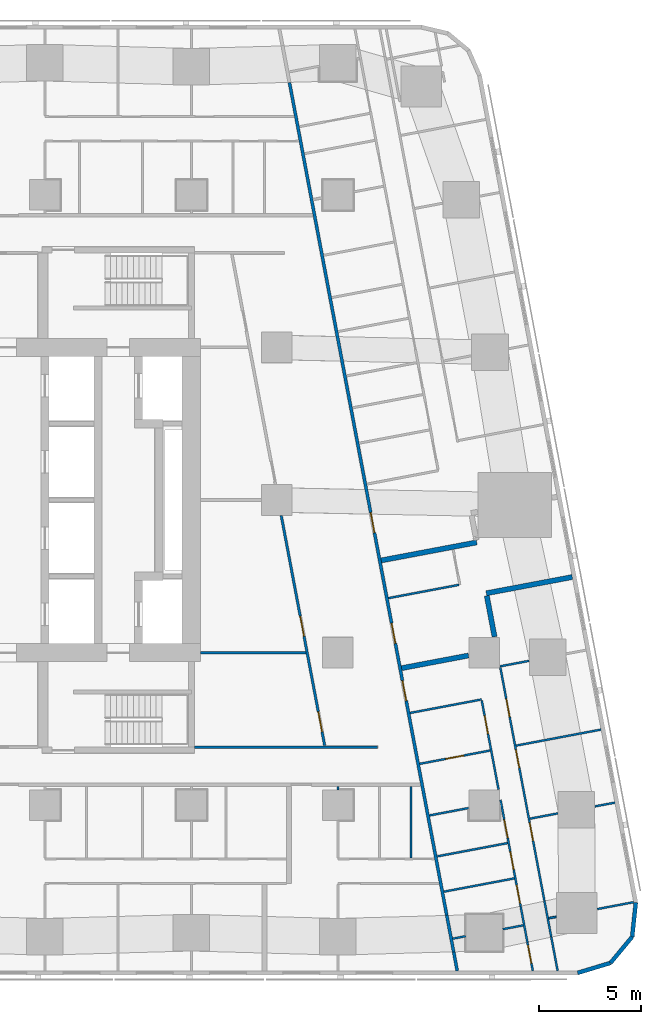
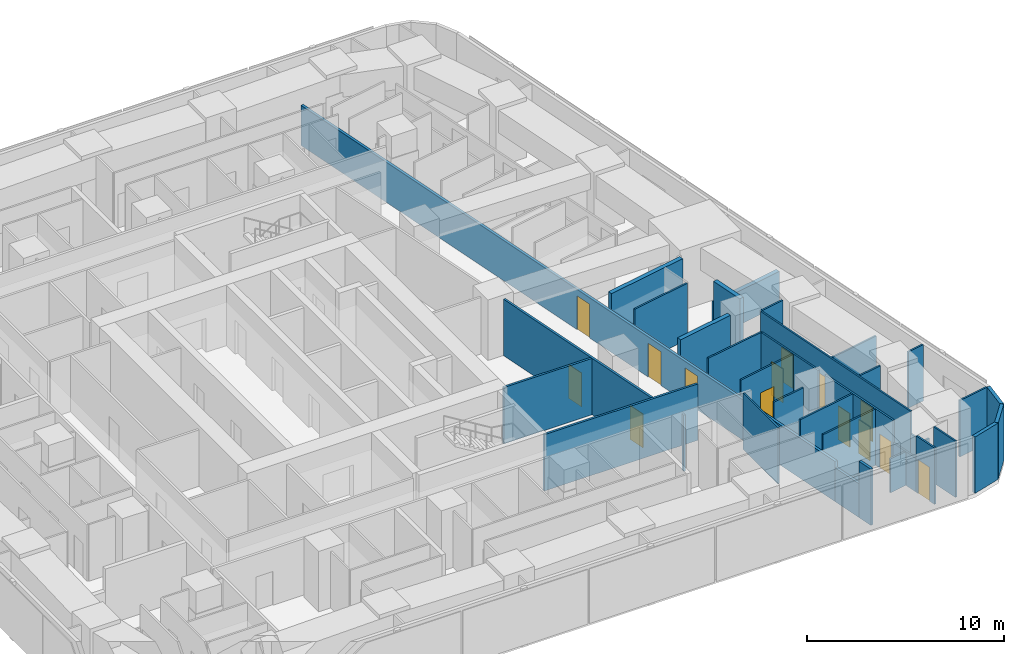
# One storey, part 7 of 15: 36 walls, 14 doors, 14 openings.
"""IFC4 building model written with IfcOpenShell, lengths in metres."""

from ifc_helpers import new_model, si_unit, direction, frame, frame_2d, origin, place, context, subcontext, project, spatial, rectangle, extrude, material, layer, layer_set, type_object, element, fill, save


model = new_model("IFC4")

# Units and contexts
model_context = context("Model", 3, precision=1e-05, world=origin(), true_north=direction((0.0, 1.0)))
body_context = subcontext(model_context, "Body", "Model", "MODEL_VIEW")
ifc_project = project(units=[si_unit("LENGTHUNIT", "METRE"), si_unit("AREAUNIT", "SQUARE_METRE"), si_unit("VOLUMEUNIT", "CUBIC_METRE"), si_unit("PLANEANGLEUNIT", "RADIAN"), si_unit("MASSUNIT", "GRAM", prefix="KILO")], contexts=[model_context])

# Site, building, storey
site_placement = place(None, origin())
site = spatial("IfcSite", under=ifc_project, at=site_placement, CompositionType="ELEMENT")
building_placement = place(site_placement, origin())
building = spatial("IfcBuilding", under=site, at=building_placement, Name="Sheger Commons Tower", CompositionType="ELEMENT")
storey_placement = place(building_placement, frame((0.0, 0.0, 162.050048828125)))
storey = spatial("IfcBuildingStorey", under=building, at=storey_placement, Name="L41", CompositionType="ELEMENT", Elevation=162.050048828125)

# Wall, openings, doors
ifc_material_1 = material(Name="Hollow concrete block masonry, skimmed both sides", Category="masonry")
ifc_layer_1 = layer(ifc_material_1, 0.14990234375)
ifc_layer_set_1 = layer_set([ifc_layer_1], Name="CORRIDOR WALL 150")
wall_type_1 = type_object("IfcWallType", Name="CORRIDOR WALL 150", PredefinedType="SOLIDWALL", material=ifc_layer_set_1)
wall_1_placement = place(storey_placement, frame((33.623046875, 43.02197265625, 0.0), z_axis=(0.0, 0.0, 1.0), x_axis=(0.185596841028, -0.98262597798, 0.0)))
wall_1 = element("IfcWall", 1, at=wall_1_placement, inside=storey, type_object=wall_type_1, Name="Corridor wall L41", PredefinedType="SOLIDWALL", context=body_context, shape_type="SweptSolid", body=[
    extrude(rectangle(XDim=41.659912109375, YDim=0.14990234375, at=frame_2d((20.830078125, 0.0))), origin(), (0.0, 0.0, 1.0), 2.5),
])
opening_1_placement = place(wall_1_placement, frame((21.513916015625, 0.0, 0.0)))
opening_1 = element("IfcOpeningElement", 2, at=opening_1_placement, cuts=wall_1, Name="Opening D1", PredefinedType="OPENING", context=body_context, shape_type="SweptSolid", body=[
    extrude(rectangle(XDim=1.0, YDim=2.10009765625, at=frame_2d((0.5, 1.050048828125))), frame((0.0, 0.0849609375, 0.0), z_axis=(0.0, -1.0, 0.0), x_axis=(1.0, 0.0, 0.0)), (0.0, 0.0, 1.0), 0.169921875),
])
opening_2_placement = place(wall_1_placement, frame((27.06201171875, 0.0, 0.0)))
opening_2 = element("IfcOpeningElement", 3, at=opening_2_placement, cuts=wall_1, Name="Opening D1", PredefinedType="OPENING", context=body_context, shape_type="SweptSolid", body=[
    extrude(rectangle(XDim=1.0, YDim=2.10009765625, at=frame_2d((0.5, 1.050048828125))), frame((0.0, 0.0849609375, 0.0), z_axis=(0.0, -1.0, 0.0), x_axis=(1.0, 0.0, 0.0)), (0.0, 0.0, 1.0), 0.169921875),
])
opening_3_placement = place(wall_1_placement, frame((29.93408203125, 0.0, 0.0)))
opening_3 = element("IfcOpeningElement", 4, at=opening_3_placement, cuts=wall_1, Name="Opening D1", PredefinedType="OPENING", context=body_context, shape_type="SweptSolid", body=[
    extrude(rectangle(XDim=1.0, YDim=2.10009765625, at=frame_2d((0.5, 1.050048828125))), frame((0.0, 0.0849609375, 0.0), z_axis=(0.0, -1.0, 0.0), x_axis=(1.0, 0.0, 0.0)), (0.0, 0.0, 1.0), 0.169921875),
])
ifc_material_2 = material(Name="Steel door set, fire rated", Category="steel")
door_type_1 = type_object("IfcDoorType", Name="FLAT ENTRANCE DOOR 1000x2100", OperationType="NOTDEFINED", PredefinedType="DOOR", material=ifc_material_2)
door_1_placement = place(opening_1_placement, origin())
door_1 = element("IfcDoor", 5, at=door_1_placement, inside=storey, type_object=door_type_1, Name="Flat entrance door", OperationType="SINGLE_SWING_LEFT", OverallHeight=2.10009765625, OverallWidth=1.0, PredefinedType="DOOR", context=body_context, shape_type="SweptSolid", body=[
    extrude(rectangle(XDim=1.0, YDim=2.10009765625, at=frame_2d((0.5, 1.050048828125))), frame((0.0, 0.02490234375, 0.0), z_axis=(0.0, -1.0, 0.0), x_axis=(1.0, 0.0, 0.0)), (0.0, 0.0, 1.0), 0.050048828125),
])
fill(opening_1, door_1)
door_2_placement = place(opening_2_placement, origin())
door_2 = element("IfcDoor", 6, at=door_2_placement, inside=storey, type_object=door_type_1, Name="Flat entrance door", OperationType="SINGLE_SWING_LEFT", OverallHeight=2.10009765625, OverallWidth=1.0, PredefinedType="DOOR", context=body_context, shape_type="SweptSolid", body=[
    extrude(rectangle(XDim=1.0, YDim=2.10009765625, at=frame_2d((0.5, 1.050048828125))), frame((0.0, 0.02490234375, 0.0), z_axis=(0.0, -1.0, 0.0), x_axis=(1.0, 0.0, 0.0)), (0.0, 0.0, 1.0), 0.050048828125),
])
fill(opening_2, door_2)
door_3_placement = place(opening_3_placement, origin())
door_3 = element("IfcDoor", 7, at=door_3_placement, inside=storey, type_object=door_type_1, Name="Flat entrance door", OperationType="SINGLE_SWING_LEFT", OverallHeight=2.10009765625, OverallWidth=1.0, PredefinedType="DOOR", context=body_context, shape_type="SweptSolid", body=[
    extrude(rectangle(XDim=1.0, YDim=2.10009765625, at=frame_2d((0.5, 1.050048828125))), frame((0.0, 0.02490234375, 0.0), z_axis=(0.0, -1.0, 0.0), x_axis=(1.0, 0.0, 0.0)), (0.0, 0.0, 1.0), 0.050048828125),
])
fill(opening_3, door_3)

# Walls
wall_2_placement = place(storey_placement, frame((41.35498046875, 2.0859375, 0.0), z_axis=(0.0, 0.0, 1.0), x_axis=(0.185708872674, -0.982604811005, 0.0)))
element("IfcWall", 8, at=wall_2_placement, inside=storey, type_object=wall_type_1, Name="Corridor wall L41", PredefinedType="SOLIDWALL", context=body_context, shape_type="SweptSolid", body=[
    extrude(rectangle(XDim=1.84716796875, YDim=0.14990234375, at=frame_2d((0.923583984375, 0.0))), origin(), (0.0, 0.0, 1.0), 2.099853515625),
])
wall_3_placement = place(storey_placement, frame((41.697998046875, 0.27099609375, 0.0), z_axis=(0.0, 0.0, 1.0), x_axis=(0.185735329995, -0.982599810295, 0.0)))
element("IfcWall", 9, at=wall_3_placement, inside=storey, type_object=wall_type_1, Name="Corridor wall L41", PredefinedType="SOLIDWALL", context=body_context, shape_type="SweptSolid", body=[
    extrude(rectangle(XDim=0.937255859375, YDim=0.14990234375, at=frame_2d((0.46875, 0.0))), origin(), (0.0, 0.0, 1.0), 3.5),
])
ifc_material_3 = material(Name="Dense concrete block masonry, plastered both sides (separating wall between flats)", Category="masonry")
ifc_layer_2 = layer(ifc_material_3, 0.25)
ifc_layer_set_2 = layer_set([ifc_layer_2], Name="DEMISING WALL 250")
wall_type_2 = type_object("IfcWallType", Name="DEMISING WALL 250", PredefinedType="SOLIDWALL", material=ifc_layer_set_2)
wall_4_placement = place(storey_placement, frame((42.8291015625, 20.416015625, 0.0), z_axis=(0.0, 0.0, 1.0), x_axis=(-0.982635807605, -0.185544791394, 0.0)))
element("IfcWall", 10, at=wall_4_placement, inside=storey, type_object=wall_type_2, Name="Demising wall L41", PredefinedType="SOLIDWALL", context=body_context, shape_type="SweptSolid", body=[
    extrude(rectangle(XDim=4.775146484375, YDim=0.25, at=frame_2d((2.3876953125, 0.0))), origin(), (0.0, 0.0, 1.0), 3.5),
])
wall_5_placement = place(storey_placement, frame((47.527099609375, 18.7119140625, 0.0), z_axis=(0.0, 0.0, 1.0), x_axis=(-0.982633535512, -0.185556823879, 0.0)))
element("IfcWall", 11, at=wall_5_placement, inside=storey, type_object=wall_type_2, Name="Demising wall L41", PredefinedType="SOLIDWALL", context=body_context, shape_type="SweptSolid", body=[
    extrude(rectangle(XDim=4.2998046875, YDim=0.25, at=frame_2d((2.14990234375, 0.0))), origin(), (0.0, 0.0, 1.0), 2.099853515625),
])
wall_6_placement = place(storey_placement, frame((42.426025390625, 14.85400390625, 0.0), z_axis=(0.0, 0.0, 1.0), x_axis=(-0.982580325536, -0.185838381047, 0.0)))
element("IfcWall", 12, at=wall_6_placement, inside=storey, type_object=wall_type_2, Name="Demising wall L41", PredefinedType="SOLIDWALL", context=body_context, shape_type="SweptSolid", body=[
    extrude(rectangle(XDim=3.347412109375, YDim=0.25, at=frame_2d((1.673828125, 0.0))), origin(), (0.0, 0.0, 1.0), 3.5),
])
wall_7_placement = place(storey_placement, frame((43.324951171875, 17.791015625, 0.0), z_axis=(0.0, 0.0, 1.0), x_axis=(0.185652708443, -0.982615424186, 0.0)))
element("IfcWall", 13, at=wall_7_placement, inside=storey, type_object=wall_type_2, Name="Demising wall L41", PredefinedType="SOLIDWALL", context=body_context, shape_type="SweptSolid", body=[
    extrude(rectangle(XDim=2.052734375, YDim=0.25, at=frame_2d((1.0263671875, 0.0))), origin(), (0.0, 0.0, 1.0), 3.5),
])
ifc_material_4 = material(Name="Rendered concrete block masonry, dark grey", Category="masonry")
ifc_layer_3 = layer(ifc_material_4, 0.199951171875)
ifc_layer_set_3 = layer_set([ifc_layer_3], Name="FACADE WALL 200")
wall_type_3 = type_object("IfcWallType", Name="FACADE WALL 200", PredefinedType="SOLIDWALL", material=ifc_layer_set_3)
wall_8_placement = place(storey_placement, frame((47.791015625, -0.75, 0.0), z_axis=(0.0, 0.0, 1.0), x_axis=(0.957455232626, 0.288581838509, 0.0)))
element("IfcWall", 14, at=wall_8_placement, inside=storey, type_object=wall_type_3, Name="Facade wall L41", PredefinedType="SOLIDWALL", context=body_context, shape_type="SweptSolid", body=[
    extrude(rectangle(XDim=1.687744140625, YDim=0.199951171875, at=frame_2d((0.84375, 0.0))), origin(), (0.0, 0.0, 1.0), 3.5),
])
wall_9_placement = place(storey_placement, frame((49.406982421875, -0.262939453125, 0.0), z_axis=(0.0, 0.0, 1.0), x_axis=(0.638042593423, 0.770001070764, 0.0)))
element("IfcWall", 15, at=wall_9_placement, inside=storey, type_object=wall_type_3, Name="Facade wall L41", PredefinedType="SOLIDWALL", context=body_context, shape_type="SweptSolid", body=[
    extrude(rectangle(XDim=1.672607421875, YDim=0.199951171875, at=frame_2d((0.83642578125, 0.0))), origin(), (0.0, 0.0, 1.0), 3.5),
])
wall_10_placement = place(storey_placement, frame((50.47412109375, 1.02490234375, 0.0), z_axis=(0.0, 0.0, 1.0), x_axis=(0.106047815515, 0.994361031429, 0.0)))
element("IfcWall", 16, at=wall_10_placement, inside=storey, type_object=wall_type_3, Name="Facade wall L41", PredefinedType="SOLIDWALL", context=body_context, shape_type="SweptSolid", body=[
    extrude(rectangle(XDim=1.6875, YDim=0.199951171875, at=frame_2d((0.84375, 0.0))), origin(), (0.0, 0.0, 1.0), 3.5),
])
ifc_material_5 = material(Name="Gypsum board on steel studs", Category="steel")
ifc_layer_4 = layer(ifc_material_5, 0.10009765625)
ifc_layer_set_4 = layer_set([ifc_layer_4], Name="PARTITION 100")
wall_type_4 = type_object("IfcWallType", Name="PARTITION 100", PredefinedType="PARTITIONING", material=ifc_layer_set_4)
wall_11_placement = place(storey_placement, frame((36.0, 8.2509765625, 0.0), z_axis=(0.0, 0.0, 1.0), x_axis=(0.0, 1.0, 0.0)))
element("IfcWall", 17, at=wall_11_placement, inside=storey, type_object=wall_type_4, Name="Partition L41", PredefinedType="PARTITIONING", context=body_context, shape_type="SweptSolid", body=[
    extrude(rectangle(XDim=0.174072265625, YDim=0.10009765625, at=frame_2d((0.0869140625, 0.0))), origin(), (0.0, 0.0, 1.0), 3.5),
])
for number, where, z_axis, x_axis, name in (
    (18, (39.60009765625, 4.89990234375, 0.0), (0.0, 0.0, 1.0), (0.0, 1.0, 0.0), "Partition L41"),
    (19, (41.951904296875, 18.326904296875, 0.0), (0.0, 0.0, 1.0), (-0.982648794755, -0.185475998897, 0.0), "Partition L41"),
):
    element("IfcWall", number, at=place(storey_placement, frame(where, z_axis=z_axis, x_axis=x_axis)), inside=storey, type_object=wall_type_4, Name=name, PredefinedType="PARTITIONING", context=body_context, shape_type="SweptSolid", body=[
        extrude(rectangle(XDim=3.525146484375, YDim=0.10009765625, at=frame_2d((1.7626953125, 0.0))), origin(), (0.0, 0.0, 1.0), 3.5),
    ])

# Wall, openings, doors
wall_12_placement = place(storey_placement, frame((43.991943359375, 14.259033203125, 0.0), z_axis=(0.0, 0.0, 1.0), x_axis=(0.185567765044, -0.98263146936, 0.0)))
wall_12 = element("IfcWall", 20, at=wall_12_placement, inside=storey, type_object=wall_type_4, Name="Partition L41", PredefinedType="PARTITIONING", context=body_context, shape_type="SweptSolid", body=[
    extrude(rectangle(XDim=11.682861328125, YDim=0.10009765625, at=frame_2d((5.84130859375, 0.0))), origin(), (0.0, 0.0, 1.0), 3.5),
])
opening_4_placement = place(wall_12_placement, frame((1.56689453125, 0.0, 0.0)))
opening_4 = element("IfcOpeningElement", 21, at=opening_4_placement, cuts=wall_12, Name="Opening D2", PredefinedType="OPENING", context=body_context, shape_type="SweptSolid", body=[
    extrude(rectangle(XDim=0.89990234375, YDim=2.10009765625, at=frame_2d((0.449951171875, 1.050048828125))), frame((0.0, 0.06005859375, 0.0), z_axis=(0.0, -1.0, 0.0), x_axis=(1.0, 0.0, 0.0)), (0.0, 0.0, 1.0), 0.1201171875),
])
opening_5_placement = place(wall_12_placement, frame((4.112060546875, 0.0, 0.0)))
opening_5 = element("IfcOpeningElement", 22, at=opening_5_placement, cuts=wall_12, Name="Opening D2", PredefinedType="OPENING", context=body_context, shape_type="SweptSolid", body=[
    extrude(rectangle(XDim=0.89990234375, YDim=2.10009765625, at=frame_2d((0.449951171875, 1.050048828125))), frame((0.0, 0.06005859375, 0.0), z_axis=(0.0, -1.0, 0.0), x_axis=(1.0, 0.0, 0.0)), (0.0, 0.0, 1.0), 0.1201171875),
])
opening_6_placement = place(wall_12_placement, frame((7.76806640625, 0.0, 0.0)))
opening_6 = element("IfcOpeningElement", 23, at=opening_6_placement, cuts=wall_12, Name="Opening D2", PredefinedType="OPENING", context=body_context, shape_type="SweptSolid", body=[
    extrude(rectangle(XDim=0.89990234375, YDim=2.10009765625, at=frame_2d((0.449951171875, 1.050048828125))), frame((0.0, 0.06005859375, 0.0), z_axis=(0.0, -1.0, 0.0), x_axis=(1.0, 0.0, 0.0)), (0.0, 0.0, 1.0), 0.1201171875),
])
ifc_material_6 = material(Name="Timber door set", Category="wood")
door_type_2 = type_object("IfcDoorType", Name="INTERNAL DOOR 900x2100", OperationType="NOTDEFINED", PredefinedType="DOOR", material=ifc_material_6)
door_4_placement = place(opening_4_placement, origin())
door_4 = element("IfcDoor", 24, at=door_4_placement, inside=storey, type_object=door_type_2, Name="Main bedroom door", OperationType="SINGLE_SWING_LEFT", OverallHeight=2.10009765625, OverallWidth=0.89990234375, PredefinedType="DOOR", context=body_context, shape_type="SweptSolid", body=[
    extrude(rectangle(XDim=0.89990234375, YDim=2.10009765625, at=frame_2d((0.449951171875, 1.050048828125))), frame((0.0, 0.02490234375, 0.0), z_axis=(0.0, -1.0, 0.0), x_axis=(1.0, 0.0, 0.0)), (0.0, 0.0, 1.0), 0.050048828125),
])
fill(opening_4, door_4)
door_5_placement = place(opening_5_placement, origin())
door_5 = element("IfcDoor", 25, at=door_5_placement, inside=storey, type_object=door_type_2, Name="Bedroom 2 door", OperationType="SINGLE_SWING_LEFT", OverallHeight=2.10009765625, OverallWidth=0.89990234375, PredefinedType="DOOR", context=body_context, shape_type="SweptSolid", body=[
    extrude(rectangle(XDim=0.89990234375, YDim=2.10009765625, at=frame_2d((0.449951171875, 1.050048828125))), frame((0.0, 0.02490234375, 0.0), z_axis=(0.0, -1.0, 0.0), x_axis=(1.0, 0.0, 0.0)), (0.0, 0.0, 1.0), 0.050048828125),
])
fill(opening_5, door_5)
door_6_placement = place(opening_6_placement, origin())
door_6 = element("IfcDoor", 26, at=door_6_placement, inside=storey, type_object=door_type_2, Name="Bedroom 3 door", OperationType="SINGLE_SWING_LEFT", OverallHeight=2.10009765625, OverallWidth=0.89990234375, PredefinedType="DOOR", context=body_context, shape_type="SweptSolid", body=[
    extrude(rectangle(XDim=0.89990234375, YDim=2.10009765625, at=frame_2d((0.449951171875, 1.050048828125))), frame((0.0, 0.02490234375, 0.0), z_axis=(0.0, -1.0, 0.0), x_axis=(1.0, 0.0, 0.0)), (0.0, 0.0, 1.0), 0.050048828125),
])
fill(opening_6, door_6)

# Walls
wall_13_placement = place(storey_placement, frame((46.159912109375, 2.779052734375, 0.0), z_axis=(0.0, 0.0, 1.0), x_axis=(0.18597295662, -0.982554863306, 0.0)))
element("IfcWall", 27, at=wall_13_placement, inside=storey, type_object=wall_type_4, Name="Partition L41", PredefinedType="PARTITIONING", context=body_context, shape_type="SweptSolid", body=[
    extrude(rectangle(XDim=1.802490234375, YDim=0.10009765625, at=frame_2d((0.9013671875, 0.0))), origin(), (0.0, 0.0, 1.0), 2.099853515625),
])
wall_14_placement = place(storey_placement, frame((46.4951171875, 1.008056640625, 0.0), z_axis=(0.0, 0.0, 1.0), x_axis=(0.185502765063, -0.982643742235, 0.0)))
element("IfcWall", 28, at=wall_14_placement, inside=storey, type_object=wall_type_4, Name="Partition L41", PredefinedType="PARTITIONING", context=body_context, shape_type="SweptSolid", body=[
    extrude(rectangle(XDim=1.687255859375, YDim=0.10009765625, at=frame_2d((0.84375, 0.0))), origin(), (0.0, 0.0, 1.0), 3.5),
])

# Wall, opening, door
wall_15_placement = place(storey_placement, frame((43.075927734375, 12.64404296875, 0.0), z_axis=(0.0, 0.0, 1.0), x_axis=(0.185613232457, -0.982622881851, 0.0)))
wall_15 = element("IfcWall", 29, at=wall_15_placement, inside=storey, type_object=wall_type_4, Name="Partition L41", PredefinedType="PARTITIONING", context=body_context, shape_type="SweptSolid", body=[
    extrude(rectangle(XDim=4.461669921875, YDim=0.10009765625, at=frame_2d((2.23095703125, 0.0))), origin(), (0.0, 0.0, 1.0), 3.5),
])
opening_7_placement = place(wall_15_placement, frame((0.77294921875, 0.0, 0.0)))
opening_7 = element("IfcOpeningElement", 30, at=opening_7_placement, cuts=wall_15, Name="Opening D2", PredefinedType="OPENING", context=body_context, shape_type="SweptSolid", body=[
    extrude(rectangle(XDim=0.89990234375, YDim=2.10009765625, at=frame_2d((0.449951171875, 1.050048828125))), frame((0.0, 0.06005859375, 0.0), z_axis=(0.0, -1.0, 0.0), x_axis=(1.0, 0.0, 0.0)), (0.0, 0.0, 1.0), 0.1201171875),
])
door_7_placement = place(opening_7_placement, origin())
door_7 = element("IfcDoor", 31, at=door_7_placement, inside=storey, type_object=door_type_2, Name="Store and laundry door", OperationType="SINGLE_SWING_RIGHT", OverallHeight=2.10009765625, OverallWidth=0.89990234375, PredefinedType="DOOR", context=body_context, shape_type="SweptSolid", body=[
    extrude(rectangle(XDim=0.89990234375, YDim=2.10009765625, at=frame_2d((0.449951171875, 1.050048828125))), frame((0.0, 0.02490234375, 0.0), z_axis=(0.0, -1.0, 0.0), x_axis=(1.0, 0.0, 0.0)), (0.0, 0.0, 1.0), 0.050048828125),
])
fill(opening_7, door_7)

# Wall, openings, doors
wall_16_placement = place(storey_placement, frame((43.9990234375, 7.756103515625, 0.0), z_axis=(0.0, 0.0, 1.0), x_axis=(0.185701292061, -0.982606243684, 0.0)))
wall_16 = element("IfcWall", 32, at=wall_16_placement, inside=storey, type_object=wall_type_4, Name="Partition L41", PredefinedType="PARTITIONING", context=body_context, shape_type="SweptSolid", body=[
    extrude(rectangle(XDim=5.320556640625, YDim=0.10009765625, at=frame_2d((2.66015625, 0.0))), origin(), (0.0, 0.0, 1.0), 3.5),
])
opening_8_placement = place(wall_16_placement, frame((1.0, 0.0, 0.0)))
opening_8 = element("IfcOpeningElement", 33, at=opening_8_placement, cuts=wall_16, Name="Opening D2", PredefinedType="OPENING", context=body_context, shape_type="SweptSolid", body=[
    extrude(rectangle(XDim=0.89990234375, YDim=2.10009765625, at=frame_2d((0.449951171875, 1.050048828125))), frame((0.0, 0.06005859375, 0.0), z_axis=(0.0, -1.0, 0.0), x_axis=(1.0, 0.0, 0.0)), (0.0, 0.0, 1.0), 0.1201171875),
])
opening_9_placement = place(wall_16_placement, frame((4.27099609375, 0.0, 0.0)))
opening_9 = element("IfcOpeningElement", 34, at=opening_9_placement, cuts=wall_16, Name="Opening D2", PredefinedType="OPENING", context=body_context, shape_type="SweptSolid", body=[
    extrude(rectangle(XDim=0.89990234375, YDim=2.10009765625, at=frame_2d((0.449951171875, 1.050048828125))), frame((0.0, 0.06005859375, 0.0), z_axis=(0.0, -1.0, 0.0), x_axis=(1.0, 0.0, 0.0)), (0.0, 0.0, 1.0), 0.1201171875),
])
opening_10_placement = place(wall_16_placement, frame((2.5859375, 0.0, 0.0)))
opening_10 = element("IfcOpeningElement", 35, at=opening_10_placement, cuts=wall_16, Name="Opening D2", PredefinedType="OPENING", context=body_context, shape_type="SweptSolid", body=[
    extrude(rectangle(XDim=0.89990234375, YDim=2.10009765625, at=frame_2d((0.449951171875, 1.050048828125))), frame((0.0, 0.06005859375, 0.0), z_axis=(0.0, -1.0, 0.0), x_axis=(1.0, 0.0, 0.0)), (0.0, 0.0, 1.0), 0.1201171875),
])
door_8_placement = place(opening_8_placement, origin())
door_8 = element("IfcDoor", 36, at=door_8_placement, inside=storey, type_object=door_type_2, Name="Bathroom door", OperationType="SINGLE_SWING_LEFT", OverallHeight=2.10009765625, OverallWidth=0.89990234375, PredefinedType="DOOR", context=body_context, shape_type="SweptSolid", body=[
    extrude(rectangle(XDim=0.89990234375, YDim=2.10009765625, at=frame_2d((0.449951171875, 1.050048828125))), frame((0.0, 0.02490234375, 0.0), z_axis=(0.0, -1.0, 0.0), x_axis=(1.0, 0.0, 0.0)), (0.0, 0.0, 1.0), 0.050048828125),
])
fill(opening_8, door_8)
door_9_placement = place(opening_9_placement, origin())
door_9 = element("IfcDoor", 37, at=door_9_placement, inside=storey, type_object=door_type_2, Name="Laundry room door", OperationType="SINGLE_SWING_LEFT", OverallHeight=2.10009765625, OverallWidth=0.89990234375, PredefinedType="DOOR", context=body_context, shape_type="SweptSolid", body=[
    extrude(rectangle(XDim=0.89990234375, YDim=2.10009765625, at=frame_2d((0.449951171875, 1.050048828125))), frame((0.0, 0.02490234375, 0.0), z_axis=(0.0, -1.0, 0.0), x_axis=(1.0, 0.0, 0.0)), (0.0, 0.0, 1.0), 0.050048828125),
])
fill(opening_9, door_9)
door_10_placement = place(opening_10_placement, origin())
door_10 = element("IfcDoor", 38, at=door_10_placement, inside=storey, type_object=door_type_2, Name="Store door", OperationType="SINGLE_SWING_LEFT", OverallHeight=2.10009765625, OverallWidth=0.89990234375, PredefinedType="DOOR", context=body_context, shape_type="SweptSolid", body=[
    extrude(rectangle(XDim=0.89990234375, YDim=2.10009765625, at=frame_2d((0.449951171875, 1.050048828125))), frame((0.0, 0.02490234375, 0.0), z_axis=(0.0, -1.0, 0.0), x_axis=(1.0, 0.0, 0.0)), (0.0, 0.0, 1.0), 0.050048828125),
])
fill(opening_10, door_10)

# Wall
wall_17_placement = place(storey_placement, frame((44.987060546875, 2.528076171875, 0.0), z_axis=(0.0, 0.0, 1.0), x_axis=(0.185319006173, -0.98267841431, 0.0)))
element("IfcWall", 39, at=wall_17_placement, inside=storey, type_object=wall_type_4, Name="Partition L41", PredefinedType="PARTITIONING", context=body_context, shape_type="SweptSolid", body=[
    extrude(rectangle(XDim=1.80224609375, YDim=0.10009765625, at=frame_2d((0.901123046875, 0.0))), origin(), (0.0, 0.0, 1.0), 2.099853515625),
])

# Wall, opening, door
wall_18_placement = place(storey_placement, frame((45.321044921875, 0.757080078125, 0.0), z_axis=(0.0, 0.0, 1.0), x_axis=(0.185678113719, -0.982610623841, 0.0)))
wall_18 = element("IfcWall", 40, at=wall_18_placement, inside=storey, type_object=wall_type_4, Name="Partition L41", PredefinedType="PARTITIONING", context=body_context, shape_type="SweptSolid", body=[
    extrude(rectangle(XDim=1.431884765625, YDim=0.10009765625, at=frame_2d((0.7158203125, 0.0))), origin(), (0.0, 0.0, 1.0), 3.5),
])
opening_11_placement = place(wall_18_placement, frame((0.14990234375, 0.0, 0.0)))
opening_11 = element("IfcOpeningElement", 41, at=opening_11_placement, cuts=wall_18, Name="Opening D2", PredefinedType="OPENING", context=body_context, shape_type="SweptSolid", body=[
    extrude(rectangle(XDim=0.89990234375, YDim=2.10009765625, at=frame_2d((0.449951171875, 1.050048828125))), frame((0.0, 0.06005859375, 0.0), z_axis=(0.0, -1.0, 0.0), x_axis=(1.0, 0.0, 0.0)), (0.0, 0.0, 1.0), 0.1201171875),
])
door_11_placement = place(opening_11_placement, origin())
door_11 = element("IfcDoor", 42, at=door_11_placement, inside=storey, type_object=door_type_2, Name="Store and laundry door", OperationType="SINGLE_SWING_RIGHT", OverallHeight=2.10009765625, OverallWidth=0.89990234375, PredefinedType="DOOR", context=body_context, shape_type="SweptSolid", body=[
    extrude(rectangle(XDim=0.89990234375, YDim=2.10009765625, at=frame_2d((0.449951171875, 1.050048828125))), frame((0.0, 0.02490234375, 0.0), z_axis=(0.0, -1.0, 0.0), x_axis=(1.0, 0.0, 0.0)), (0.0, 0.0, 1.0), 0.050048828125),
])
fill(opening_11, door_11)

# Walls
wall_19_placement = place(storey_placement, frame((45.404052734375, 14.591064453125, 0.0), z_axis=(0.0, 0.0, 1.0), x_axis=(-0.982617614942, -0.185641112921, 0.0)))
element("IfcWall", 43, at=wall_19_placement, inside=storey, type_object=wall_type_4, Name="Partition L41", PredefinedType="PARTITIONING", context=body_context, shape_type="SweptSolid", body=[
    extrude(rectangle(XDim=1.44921875, YDim=0.10009765625, at=frame_2d((0.724609375, 0.0))), origin(), (0.0, 0.0, 1.0), 3.5),
])
wall_20_placement = place(storey_placement, frame((48.943115234375, 11.212890625, 0.0), z_axis=(0.0, 0.0, 1.0), x_axis=(-0.982623519589, -0.185609856287, 0.0)))
element("IfcWall", 44, at=wall_20_placement, inside=storey, type_object=wall_type_4, Name="Partition L41", PredefinedType="PARTITIONING", context=body_context, shape_type="SweptSolid", body=[
    extrude(rectangle(XDim=4.249755859375, YDim=0.10009765625, at=frame_2d((2.125, 0.0))), origin(), (0.0, 0.0, 1.0), 2.099853515625),
])
wall_21_placement = place(storey_placement, frame((49.6220703125, 7.6201171875, 0.0), z_axis=(0.0, 0.0, 1.0), x_axis=(-0.982708646087, -0.185158626332, 0.0)))
element("IfcWall", 45, at=wall_21_placement, inside=storey, type_object=wall_type_4, Name="Partition L41", PredefinedType="PARTITIONING", context=body_context, shape_type="SweptSolid", body=[
    extrude(rectangle(XDim=0.99951171875, YDim=0.10009765625, at=frame_2d((0.499755859375, 0.0))), origin(), (0.0, 0.0, 1.0), 3.5),
])
wall_22_placement = place(storey_placement, frame((46.820068359375, 7.091064453125, 0.0), z_axis=(0.0, 0.0, 1.0), x_axis=(-0.982689853246, -0.185258339427, 0.0)))
element("IfcWall", 46, at=wall_22_placement, inside=storey, type_object=wall_type_4, Name="Partition L41", PredefinedType="PARTITIONING", context=body_context, shape_type="SweptSolid", body=[
    extrude(rectangle(XDim=1.398193359375, YDim=0.10009765625, at=frame_2d((0.69921875, 0.0))), origin(), (0.0, 0.0, 1.0), 3.5),
])
wall_23_placement = place(storey_placement, frame((50.547119140625, 2.72607421875, 0.0), z_axis=(0.0, 0.0, 1.0), x_axis=(-0.982603988143, -0.185713226471, 0.0)))
element("IfcWall", 47, at=wall_23_placement, inside=storey, type_object=wall_type_4, Name="Partition L41", PredefinedType="PARTITIONING", context=body_context, shape_type="SweptSolid", body=[
    extrude(rectangle(XDim=1.82080078125, YDim=0.10009765625, at=frame_2d((0.910400390625, 0.0))), origin(), (0.0, 0.0, 1.0), 3.5),
])
wall_24_placement = place(storey_placement, frame((46.738037109375, 2.006103515625, 0.0), z_axis=(0.0, 0.0, 1.0), x_axis=(-0.982820466874, -0.184564161994, 0.0)))
element("IfcWall", 48, at=wall_24_placement, inside=storey, type_object=wall_type_4, Name="Partition L41", PredefinedType="PARTITIONING", context=body_context, shape_type="SweptSolid", body=[
    extrude(rectangle(XDim=0.374267578125, YDim=0.10009765625, at=frame_2d((0.18701171875, 0.0))), origin(), (0.0, 0.0, 1.0), 2.099853515625),
])
wall_25_placement = place(storey_placement, frame((43.06689453125, 12.693115234375, 0.0), z_axis=(0.0, 0.0, 1.0), x_axis=(-0.982598214409, -0.185743772548, 0.0)))
element("IfcWall", 49, at=wall_25_placement, inside=storey, type_object=wall_type_4, Name="Partition L41", PredefinedType="PARTITIONING", context=body_context, shape_type="SweptSolid", body=[
    extrude(rectangle(XDim=3.5751953125, YDim=0.10009765625, at=frame_2d((1.78759765625, 0.0))), origin(), (0.0, 0.0, 1.0), 3.5),
])

# Wall, opening, door
wall_26_placement = place(storey_placement, frame((43.489990234375, 10.18310546875, 0.0), z_axis=(0.0, 0.0, 1.0), x_axis=(-0.982588017646, -0.185797706064, 0.0)))
wall_26 = element("IfcWall", 50, at=wall_26_placement, inside=storey, type_object=wall_type_4, Name="Partition L41", PredefinedType="PARTITIONING", context=body_context, shape_type="SweptSolid", body=[
    extrude(rectangle(XDim=3.525390625, YDim=0.10009765625, at=frame_2d((1.7626953125, 0.0))), origin(), (0.0, 0.0, 1.0), 3.5),
])
opening_12_placement = place(wall_26_placement, frame((1.324951171875, 0.0, 0.0)))
opening_12 = element("IfcOpeningElement", 51, at=opening_12_placement, cuts=wall_26, Name="Opening D2", PredefinedType="OPENING", context=body_context, shape_type="SweptSolid", body=[
    extrude(rectangle(XDim=0.89990234375, YDim=2.10009765625, at=frame_2d((0.449951171875, 1.050048828125))), frame((0.0, 0.06005859375, 0.0), z_axis=(0.0, -1.0, 0.0), x_axis=(1.0, 0.0, 0.0)), (0.0, 0.0, 1.0), 0.1201171875),
])
door_12_placement = place(opening_12_placement, origin())
door_12 = element("IfcDoor", 52, at=door_12_placement, inside=storey, type_object=door_type_2, Name="Store door", OperationType="SINGLE_SWING_LEFT", OverallHeight=2.10009765625, OverallWidth=0.89990234375, PredefinedType="DOOR", context=body_context, shape_type="SweptSolid", body=[
    extrude(rectangle(XDim=0.89990234375, YDim=2.10009765625, at=frame_2d((0.449951171875, 1.050048828125))), frame((0.0, 0.02490234375, 0.0), z_axis=(0.0, -1.0, 0.0), x_axis=(1.0, 0.0, 0.0)), (0.0, 0.0, 1.0), 0.050048828125),
])
fill(opening_12, door_12)

# Walls
wall_27_placement = place(storey_placement, frame((42.43994140625, 7.35693359375, 0.0), z_axis=(0.0, 0.0, 1.0), x_axis=(-0.982581871375, -0.185830207569, 0.0)))
element("IfcWall", 53, at=wall_27_placement, inside=storey, type_object=wall_type_4, Name="Partition L41", PredefinedType="PARTITIONING", context=body_context, shape_type="SweptSolid", body=[
    extrude(rectangle(XDim=1.969482421875, YDim=0.10009765625, at=frame_2d((0.98486328125, 0.0))), origin(), (0.0, 0.0, 1.0), 3.5),
])
wall_28_placement = place(storey_placement, frame((45.114013671875, 1.5869140625, 0.0), z_axis=(0.0, 0.0, 1.0), x_axis=(-0.982567886437, -0.185904138047, 0.0)))
element("IfcWall", 54, at=wall_28_placement, inside=storey, type_object=wall_type_4, Name="Partition L41", PredefinedType="PARTITIONING", context=body_context, shape_type="SweptSolid", body=[
    extrude(rectangle(XDim=1.021728515625, YDim=0.10009765625, at=frame_2d((0.5107421875, 0.0))), origin(), (0.0, 0.0, 1.0), 2.099853515625),
])
wall_29_placement = place(storey_placement, frame((42.2900390625, 1.052978515625, 0.0), z_axis=(0.0, 0.0, 1.0), x_axis=(-0.982573945355, -0.185872111707, 0.0)))
element("IfcWall", 55, at=wall_29_placement, inside=storey, type_object=wall_type_4, Name="Partition L41", PredefinedType="PARTITIONING", context=body_context, shape_type="SweptSolid", body=[
    extrude(rectangle(XDim=0.651611328125, YDim=0.10009765625, at=frame_2d((0.32568359375, 0.0))), origin(), (0.0, 0.0, 1.0), 2.099853515625),
])
for number, where, z_axis, x_axis, name in (
    (56, (44.677001953125, 3.89599609375, 0.0), (0.0, 0.0, 1.0), (-0.982638553676, -0.185530247748, 0.0), "Partition L41"),
    (57, (44.35009765625, 5.631103515625, 0.0), (0.0, 0.0, 1.0), (-0.982638553676, -0.185530247748, 0.0), "Partition L41"),
):
    element("IfcWall", number, at=place(storey_placement, frame(where, z_axis=z_axis, x_axis=x_axis)), inside=storey, type_object=wall_type_4, Name=name, PredefinedType="PARTITIONING", context=body_context, shape_type="SweptSolid", body=[
        extrude(rectangle(XDim=3.525390625, YDim=0.10009765625, at=frame_2d((1.7626953125, 0.0))), origin(), (0.0, 0.0, 1.0), 3.5),
    ])
ifc_material_7 = material(Name="Gypsum board on steel studs, two layers each side, fire rated", Category="steel")
ifc_layer_5 = layer(ifc_material_7, 0.125)
ifc_layer_set_5 = layer_set([ifc_layer_5], Name="SERVICE WALL 125")
wall_type_5 = type_object("IfcWallType", Name="SERVICE WALL 125", PredefinedType="PARTITIONING", material=ifc_layer_set_5)
wall_30_placement = place(storey_placement, frame((28.949951171875, 10.35009765625, 0.0), z_axis=(0.0, 0.0, 1.0), x_axis=(1.0, 0.0, 0.0)))
element("IfcWall", 58, at=wall_30_placement, inside=storey, type_object=wall_type_5, Name="Service room wall L41", PredefinedType="PARTITIONING", context=body_context, shape_type="SweptSolid", body=[
    extrude(rectangle(XDim=9.012939453125, YDim=0.125, at=frame_2d((4.50634765625, 0.0))), origin(), (0.0, 0.0, 1.0), 3.5),
])

# Wall, openings, doors
wall_31_placement = place(storey_placement, frame((35.35400390625, 10.424072265625, 0.0), z_axis=(0.0, 0.0, 1.0), x_axis=(-0.185612234763, 0.982623070311, 0.0)))
wall_31 = element("IfcWall", 59, at=wall_31_placement, inside=storey, type_object=wall_type_5, Name="Service room wall L41", PredefinedType="PARTITIONING", context=body_context, shape_type="SweptSolid", body=[
    extrude(rectangle(XDim=11.512939453125, YDim=0.125, at=frame_2d((5.75634765625, 0.0))), origin(), (0.0, 0.0, 1.0), 3.5),
])
opening_13_placement = place(wall_31_placement, frame((0.697021484375, 0.0, 0.0)))
opening_13 = element("IfcOpeningElement", 60, at=opening_13_placement, cuts=wall_31, Name="Opening D4", PredefinedType="OPENING", context=body_context, shape_type="SweptSolid", body=[
    extrude(rectangle(XDim=1.0, YDim=2.10009765625, at=frame_2d((0.5, 1.050048828125))), frame((0.0, 0.072509765625, 0.0), z_axis=(0.0, -1.0, 0.0), x_axis=(1.0, 0.0, 0.0)), (0.0, 0.0, 1.0), 0.14501953125),
])
opening_14_placement = place(wall_31_placement, frame((5.47998046875, 0.0, 0.0)))
opening_14 = element("IfcOpeningElement", 61, at=opening_14_placement, cuts=wall_31, Name="Opening D4", PredefinedType="OPENING", context=body_context, shape_type="SweptSolid", body=[
    extrude(rectangle(XDim=1.0, YDim=2.10009765625, at=frame_2d((0.5, 1.050048828125))), frame((0.0, 0.072509765625, 0.0), z_axis=(0.0, -1.0, 0.0), x_axis=(1.0, 0.0, 0.0)), (0.0, 0.0, 1.0), 0.14501953125),
])
ifc_material_8 = material(Name="Steel door set, fire rated", Category="steel")
door_type_3 = type_object("IfcDoorType", Name="SERVICE DOOR 1000x2100", OperationType="NOTDEFINED", PredefinedType="DOOR", material=ifc_material_8)
door_13_placement = place(opening_13_placement, origin())
door_13 = element("IfcDoor", 62, at=door_13_placement, inside=storey, type_object=door_type_3, Name="Residents' study room door", OperationType="SINGLE_SWING_LEFT", OverallHeight=2.10009765625, OverallWidth=1.0, PredefinedType="DOOR", context=body_context, shape_type="SweptSolid", body=[
    extrude(rectangle(XDim=1.0, YDim=2.10009765625, at=frame_2d((0.5, 1.050048828125))), frame((0.0, 0.02490234375, 0.0), z_axis=(0.0, -1.0, 0.0), x_axis=(1.0, 0.0, 0.0)), (0.0, 0.0, 1.0), 0.050048828125),
])
fill(opening_13, door_13)
door_14_placement = place(opening_14_placement, origin())
door_14 = element("IfcDoor", 63, at=door_14_placement, inside=storey, type_object=door_type_3, Name="Bicycle and pram store door", OperationType="SINGLE_SWING_LEFT", OverallHeight=2.10009765625, OverallWidth=1.0, PredefinedType="DOOR", context=body_context, shape_type="SweptSolid", body=[
    extrude(rectangle(XDim=1.0, YDim=2.10009765625, at=frame_2d((0.5, 1.050048828125))), frame((0.0, 0.02490234375, 0.0), z_axis=(0.0, -1.0, 0.0), x_axis=(1.0, 0.0, 0.0)), (0.0, 0.0, 1.0), 0.050048828125),
])
fill(opening_14, door_14)

# Wall
wall_32_placement = place(storey_placement, frame((29.25, 15.0, 0.0), z_axis=(0.0, 0.0, 1.0), x_axis=(1.0, 0.0, 0.0)))
element("IfcWall", 64, at=wall_32_placement, inside=storey, type_object=wall_type_5, Name="Service room wall L41", PredefinedType="PARTITIONING", context=body_context, shape_type="SweptSolid", body=[
    extrude(rectangle(XDim=5.176025390625, YDim=0.125, at=frame_2d((2.587890625, 0.0))), origin(), (0.0, 0.0, 1.0), 3.5),
])

save(model, "model.ifc")
